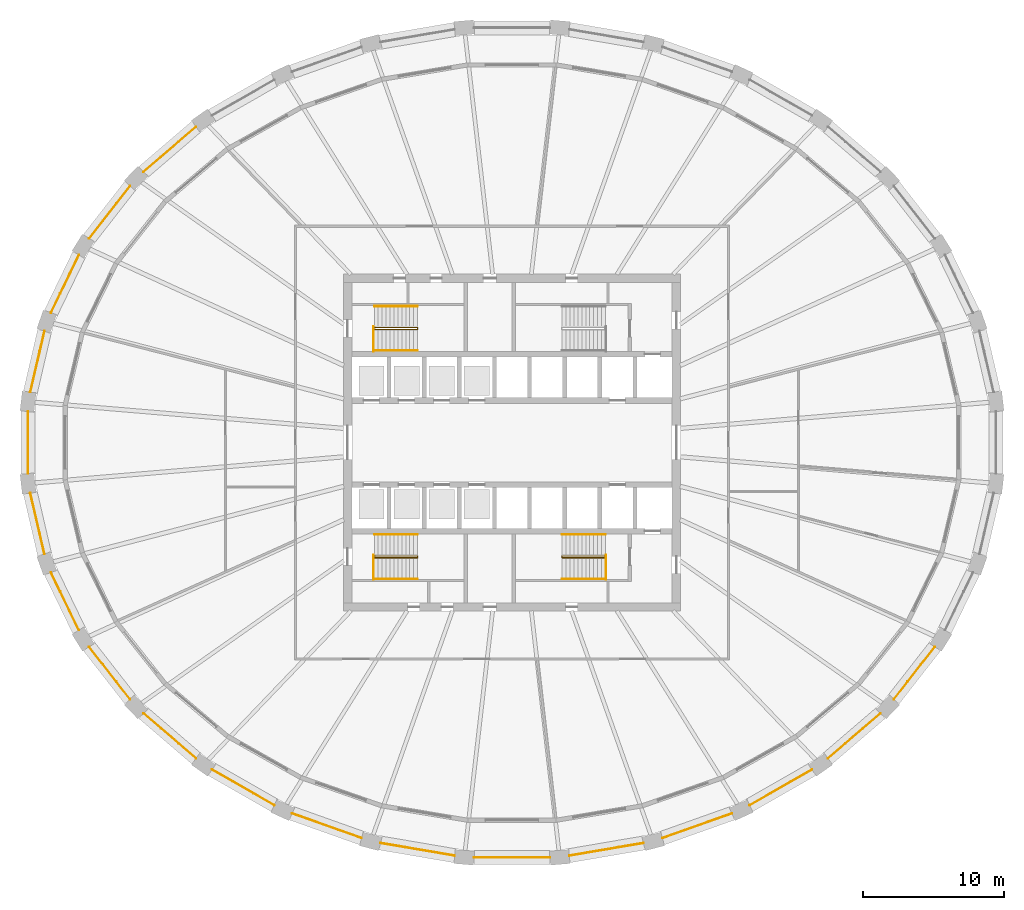
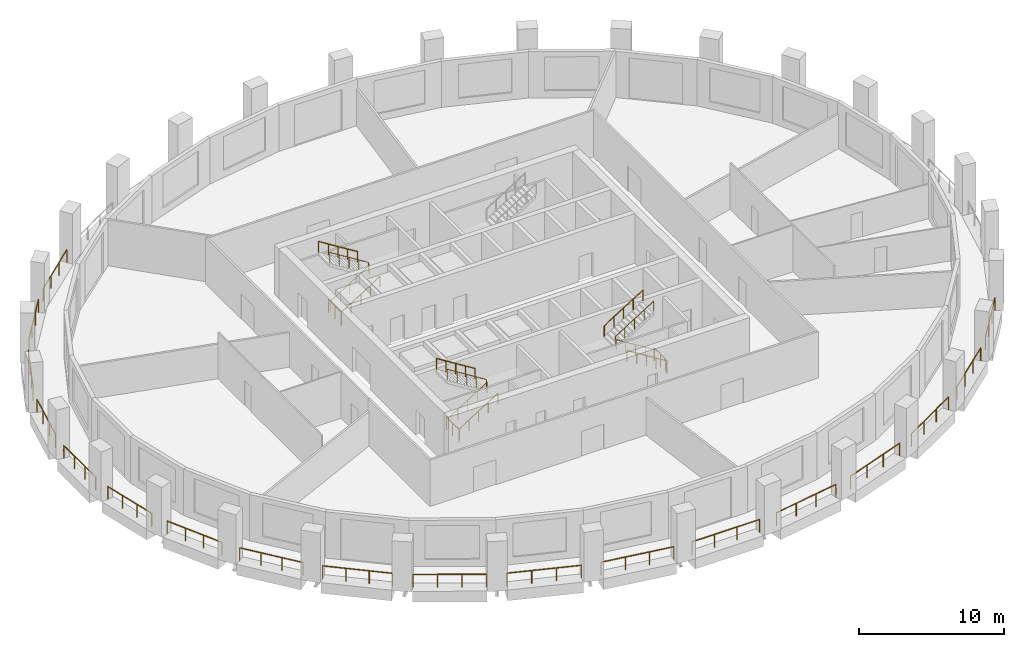
# One storey, part 8 of 10: 30 railings.
"""IFC4 building model written with IfcOpenShell, lengths in metres."""

from ifc_helpers import new_model, si_unit, direction, frame, origin, origin_2d, place, context, subcontext, project, spatial, circle, extrude, material, type_object, element, save


model = new_model("IFC4")

# Units and contexts
model_context = context("Model", 3, precision=1e-05, world=origin(), true_north=direction((0.0, 1.0)))
body_context = subcontext(model_context, "Body", "Model", "MODEL_VIEW")
ifc_project = project(units=[si_unit("LENGTHUNIT", "METRE"), si_unit("AREAUNIT", "SQUARE_METRE"), si_unit("VOLUMEUNIT", "CUBIC_METRE"), si_unit("PLANEANGLEUNIT", "RADIAN"), si_unit("MASSUNIT", "GRAM", prefix="KILO")], contexts=[model_context])

# Site, building, storey
site_placement = place(None, origin())
site = spatial("IfcSite", under=ifc_project, at=site_placement, CompositionType="ELEMENT")
building_placement = place(site_placement, origin())
building = spatial("IfcBuilding", under=site, at=building_placement, Name="Halqa Exchange Tower", CompositionType="ELEMENT")
storey_placement = place(building_placement, frame((0.0, 0.0, 133.89990234375)))
storey = spatial("IfcBuildingStorey", under=building, at=storey_placement, Name="L30", CompositionType="ELEMENT", Elevation=133.89990234375)

# Railings
ifc_material = material(Name="Stainless steel", Category="steel")
railing_type_1 = type_object("IfcRailingType", Name="Guard 1100 stainless steel", PredefinedType="GUARDRAIL", material=ifc_material)
railing_1_placement = place(storey_placement, frame((-22.48486328125, 22.47314453125, 0.0)))
element("IfcRailing", 1, at=railing_1_placement, inside=storey, type_object=railing_type_1, Name="Loggia guard 12", PredefinedType="GUARDRAIL", context=body_context, shape_type="SweptSolid", body=[
    extrude(circle(Radius=0.02392578125, at=origin_2d()), frame((0.0, 0.0, 1.076171875), z_axis=(-0.759260106659, -0.650787285091, 0.0), x_axis=(0.650787285091, -0.759260106659, 0.0)), (0.0, 0.0, 1.0), 4.917724609375),
    extrude(circle(Radius=0.02099609375, at=origin_2d()), origin(), (0.0, 0.0, 1.0), 1.052001953125),
    extrude(circle(Radius=0.02099609375, at=origin_2d()), frame((-1.24462890625, -1.06689453125, 0.0)), (0.0, 0.0, 1.0), 1.052001953125),
    extrude(circle(Radius=0.02099609375, at=origin_2d()), frame((-2.4892578125, -2.133544921875, 0.0)), (0.0, 0.0, 1.0), 1.052001953125),
    extrude(circle(Radius=0.02099609375, at=origin_2d()), frame((-3.73388671875, -3.200439453125, 0.0)), (0.0, 0.0, 1.0), 1.052001953125),
])
railing_2_placement = place(storey_placement, frame((-27.1806640625, 18.26513671875, 0.0)))
element("IfcRailing", 2, at=railing_2_placement, inside=storey, type_object=railing_type_1, Name="Loggia guard 13", PredefinedType="GUARDRAIL", context=body_context, shape_type="SweptSolid", body=[
    extrude(circle(Radius=0.02392578125, at=origin_2d()), frame((0.0, 0.0, 1.076171875), z_axis=(-0.614769268327, -0.788707009428, 0.0), x_axis=(0.788707009428, -0.614769268327, 0.0)), (0.0, 0.0, 1.0), 4.730224609375),
    extrude(circle(Radius=0.02099609375, at=origin_2d()), origin(), (0.0, 0.0, 1.0), 1.052001953125),
    extrude(circle(Radius=0.02099609375, at=origin_2d()), frame((-0.96923828125, -1.24365234375, 0.0)), (0.0, 0.0, 1.0), 1.052001953125),
    extrude(circle(Radius=0.02099609375, at=origin_2d()), frame((-1.938720703125, -2.487060546875, 0.0)), (0.0, 0.0, 1.0), 1.052001953125),
    extrude(circle(Radius=0.02099609375, at=origin_2d()), frame((-2.907958984375, -3.730712890625, 0.0)), (0.0, 0.0, 1.0), 1.052001953125),
])
railing_3_placement = place(storey_placement, frame((-30.82373046875, 13.35205078125, 0.0)))
element("IfcRailing", 3, at=railing_3_placement, inside=storey, type_object=railing_type_1, Name="Loggia guard 14", PredefinedType="GUARDRAIL", context=body_context, shape_type="SweptSolid", body=[
    extrude(circle(Radius=0.02392578125, at=origin_2d()), frame((0.0, 0.0, 1.076171875), z_axis=(-0.435089925601, -0.900387003816, 0.0), x_axis=(0.900387003816, -0.435089925601, 0.0)), (0.0, 0.0, 1.0), 4.56640625),
    extrude(circle(Radius=0.02099609375, at=origin_2d()), origin(), (0.0, 0.0, 1.0), 1.052001953125),
    extrude(circle(Radius=0.02099609375, at=origin_2d()), frame((-0.662353515625, -1.37060546875, 0.0)), (0.0, 0.0, 1.0), 1.052001953125),
    extrude(circle(Radius=0.02099609375, at=origin_2d()), frame((-1.324462890625, -2.740966796875, 0.0)), (0.0, 0.0, 1.0), 1.052001953125),
    extrude(circle(Radius=0.02099609375, at=origin_2d()), frame((-1.98681640625, -4.111572265625, 0.0)), (0.0, 0.0, 1.0), 1.052001953125),
])
railing_4_placement = place(storey_placement, frame((-33.2734375, 7.928466796875, 0.0)))
element("IfcRailing", 4, at=railing_4_placement, inside=storey, type_object=railing_type_1, Name="Loggia guard 15", PredefinedType="GUARDRAIL", context=body_context, shape_type="SweptSolid", body=[
    extrude(circle(Radius=0.02392578125, at=origin_2d()), frame((0.0, 0.0, 1.076171875), z_axis=(-0.226084201975, -0.974107762836, 0.0), x_axis=(0.974107762836, -0.226084201975, 0.0)), (0.0, 0.0, 1.0), 4.454345703125),
    extrude(circle(Radius=0.02099609375, at=origin_2d()), origin(), (0.0, 0.0, 1.0), 1.052001953125),
    extrude(circle(Radius=0.02099609375, at=origin_2d()), frame((-0.335693359375, -1.4462890625, 0.0)), (0.0, 0.0, 1.0), 1.052001953125),
    extrude(circle(Radius=0.02099609375, at=origin_2d()), frame((-0.67138671875, -2.892822265625, 0.0)), (0.0, 0.0, 1.0), 1.052001953125),
    extrude(circle(Radius=0.02099609375, at=origin_2d()), frame((-1.007080078125, -4.339111328125, 0.0)), (0.0, 0.0, 1.0), 1.052001953125),
])
railing_5_placement = place(storey_placement, frame((-34.438720703125, 2.20751953125, 0.0)))
element("IfcRailing", 5, at=railing_5_placement, inside=storey, type_object=railing_type_1, Name="Loggia guard 16", PredefinedType="GUARDRAIL", context=body_context, shape_type="SweptSolid", body=[
    extrude(circle(Radius=0.02392578125, at=origin_2d()), frame((0.0, 0.0, 1.076171875), z_axis=(0.0, -1.0, 0.0), x_axis=(1.0, 0.0, 0.0)), (0.0, 0.0, 1.0), 4.4150390625),
    extrude(circle(Radius=0.02099609375, at=origin_2d()), origin(), (0.0, 0.0, 1.0), 1.052001953125),
    extrude(circle(Radius=0.02099609375, at=origin_2d()), frame((0.0, -1.4716796875, 0.0)), (0.0, 0.0, 1.0), 1.052001953125),
    extrude(circle(Radius=0.02099609375, at=origin_2d()), frame((0.0, -2.943359375, 0.0)), (0.0, 0.0, 1.0), 1.052001953125),
    extrude(circle(Radius=0.02099609375, at=origin_2d()), frame((0.0, -4.4150390625, 0.0)), (0.0, 0.0, 1.0), 1.052001953125),
])
railing_6_placement = place(storey_placement, frame((-34.280517578125, -3.58935546875, 0.0)))
element("IfcRailing", 6, at=railing_6_placement, inside=storey, type_object=railing_type_1, Name="Loggia guard 17", PredefinedType="GUARDRAIL", context=body_context, shape_type="SweptSolid", body=[
    extrude(circle(Radius=0.02392578125, at=origin_2d()), frame((0.0, 0.0, 1.076171875), z_axis=(0.226084201975, -0.974107762836, 0.0), x_axis=(0.974107762836, 0.226084201975, 0.0)), (0.0, 0.0, 1.0), 4.454345703125),
    extrude(circle(Radius=0.02099609375, at=origin_2d()), origin(), (0.0, 0.0, 1.0), 1.052001953125),
    extrude(circle(Radius=0.02099609375, at=origin_2d()), frame((0.335693359375, -1.4462890625, 0.0)), (0.0, 0.0, 1.0), 1.052001953125),
    extrude(circle(Radius=0.02099609375, at=origin_2d()), frame((0.67138671875, -2.892822265625, 0.0)), (0.0, 0.0, 1.0), 1.052001953125),
    extrude(circle(Radius=0.02099609375, at=origin_2d()), frame((1.007080078125, -4.339111328125, 0.0)), (0.0, 0.0, 1.0), 1.052001953125),
])
railing_7_placement = place(storey_placement, frame((-32.810546875, -9.240478515625, 0.0)))
element("IfcRailing", 7, at=railing_7_placement, inside=storey, type_object=railing_type_1, Name="Loggia guard 18", PredefinedType="GUARDRAIL", context=body_context, shape_type="SweptSolid", body=[
    extrude(circle(Radius=0.02392578125, at=origin_2d()), frame((0.0, 0.0, 1.076171875), z_axis=(0.435089925601, -0.900387003816, 0.0), x_axis=(0.900387003816, 0.435089925601, 0.0)), (0.0, 0.0, 1.0), 4.56640625),
    extrude(circle(Radius=0.02099609375, at=origin_2d()), origin(), (0.0, 0.0, 1.0), 1.052001953125),
    extrude(circle(Radius=0.02099609375, at=origin_2d()), frame((0.662353515625, -1.37060546875, 0.0)), (0.0, 0.0, 1.0), 1.052001953125),
    extrude(circle(Radius=0.02099609375, at=origin_2d()), frame((1.324462890625, -2.740966796875, 0.0)), (0.0, 0.0, 1.0), 1.052001953125),
    extrude(circle(Radius=0.02099609375, at=origin_2d()), frame((1.98681640625, -4.111572265625, 0.0)), (0.0, 0.0, 1.0), 1.052001953125),
])
railing_8_placement = place(storey_placement, frame((-30.088623046875, -14.534423828125, 0.0)))
element("IfcRailing", 8, at=railing_8_placement, inside=storey, type_object=railing_type_1, Name="Loggia guard 19", PredefinedType="GUARDRAIL", context=body_context, shape_type="SweptSolid", body=[
    extrude(circle(Radius=0.02392578125, at=origin_2d()), frame((0.0, 0.0, 1.076171875), z_axis=(0.614769268327, -0.788707009428, 0.0), x_axis=(0.788707009428, 0.614769268327, 0.0)), (0.0, 0.0, 1.0), 4.730224609375),
    extrude(circle(Radius=0.02099609375, at=origin_2d()), origin(), (0.0, 0.0, 1.0), 1.052001953125),
    extrude(circle(Radius=0.02099609375, at=origin_2d()), frame((0.96923828125, -1.24365234375, 0.0)), (0.0, 0.0, 1.0), 1.052001953125),
    extrude(circle(Radius=0.02099609375, at=origin_2d()), frame((1.938720703125, -2.487060546875, 0.0)), (0.0, 0.0, 1.0), 1.052001953125),
    extrude(circle(Radius=0.02099609375, at=origin_2d()), frame((2.907958984375, -3.730712890625, 0.0)), (0.0, 0.0, 1.0), 1.052001953125),
])
railing_9_placement = place(storey_placement, frame((-26.21875, -19.272705078125, 0.0)))
element("IfcRailing", 9, at=railing_9_placement, inside=storey, type_object=railing_type_1, Name="Loggia guard 20", PredefinedType="GUARDRAIL", context=body_context, shape_type="SweptSolid", body=[
    extrude(circle(Radius=0.02392578125, at=origin_2d()), frame((0.0, 0.0, 1.076171875), z_axis=(0.759260106659, -0.650787285091, 0.0), x_axis=(0.650787285091, 0.759260106659, 0.0)), (0.0, 0.0, 1.0), 4.917724609375),
    extrude(circle(Radius=0.02099609375, at=origin_2d()), origin(), (0.0, 0.0, 1.0), 1.052001953125),
    extrude(circle(Radius=0.02099609375, at=origin_2d()), frame((1.24462890625, -1.06689453125, 0.0)), (0.0, 0.0, 1.0), 1.052001953125),
    extrude(circle(Radius=0.02099609375, at=origin_2d()), frame((2.4892578125, -2.133544921875, 0.0)), (0.0, 0.0, 1.0), 1.052001953125),
    extrude(circle(Radius=0.02099609375, at=origin_2d()), frame((3.73388671875, -3.200439453125, 0.0)), (0.0, 0.0, 1.0), 1.052001953125),
])
railing_10_placement = place(storey_placement, frame((-21.345947265625, -23.276611328125, 0.0)))
element("IfcRailing", 10, at=railing_10_placement, inside=storey, type_object=railing_type_1, Name="Loggia guard 21", PredefinedType="GUARDRAIL", context=body_context, shape_type="SweptSolid", body=[
    extrude(circle(Radius=0.02392578125, at=origin_2d()), frame((0.0, 0.0, 1.076171875), z_axis=(0.867765525419, -0.496973835222, 0.0), x_axis=(0.496973835222, 0.867765525419, 0.0)), (0.0, 0.0, 1.0), 5.10009765625),
    extrude(circle(Radius=0.02099609375, at=origin_2d()), origin(), (0.0, 0.0, 1.0), 1.052001953125),
    extrude(circle(Radius=0.02099609375, at=origin_2d()), frame((1.475341796875, -0.844970703125, 0.0)), (0.0, 0.0, 1.0), 1.052001953125),
    extrude(circle(Radius=0.02099609375, at=origin_2d()), frame((2.950439453125, -1.689697265625, 0.0)), (0.0, 0.0, 1.0), 1.052001953125),
    extrude(circle(Radius=0.02099609375, at=origin_2d()), frame((4.42578125, -2.53466796875, 0.0)), (0.0, 0.0, 1.0), 1.052001953125),
])
railing_11_placement = place(storey_placement, frame((-15.653076171875, -26.3935546875, 0.0)))
element("IfcRailing", 11, at=railing_11_placement, inside=storey, type_object=railing_type_1, Name="Loggia guard 22", PredefinedType="GUARDRAIL", context=body_context, shape_type="SweptSolid", body=[
    extrude(circle(Radius=0.02392578125, at=origin_2d()), frame((0.0, 0.0, 1.076171875), z_axis=(0.942362020759, -0.334595011664, 0.0), x_axis=(0.334595011664, 0.942362020759, 0.0)), (0.0, 0.0, 1.0), 5.250732421875),
    extrude(circle(Radius=0.02099609375, at=origin_2d()), origin(), (0.0, 0.0, 1.0), 1.052001953125),
    extrude(circle(Radius=0.02099609375, at=origin_2d()), frame((1.6494140625, -0.585693359375, 0.0)), (0.0, 0.0, 1.0), 1.052001953125),
    extrude(circle(Radius=0.02099609375, at=origin_2d()), frame((3.298583984375, -1.171142578125, 0.0)), (0.0, 0.0, 1.0), 1.052001953125),
    extrude(circle(Radius=0.02099609375, at=origin_2d()), frame((4.947998046875, -1.7568359375, 0.0)), (0.0, 0.0, 1.0), 1.052001953125),
])
railing_12_placement = place(storey_placement, frame((-9.35546875, -28.502197265625, 0.0)))
element("IfcRailing", 12, at=railing_12_placement, inside=storey, type_object=railing_type_1, Name="Loggia guard 23", PredefinedType="GUARDRAIL", context=body_context, shape_type="SweptSolid", body=[
    extrude(circle(Radius=0.02392578125, at=origin_2d()), frame((0.0, 0.0, 1.076171875), z_axis=(0.985774069953, -0.168075825176, 0.0), x_axis=(0.168075825176, 0.985774069953, 0.0)), (0.0, 0.0, 1.0), 5.349853515625),
    extrude(circle(Radius=0.02099609375, at=origin_2d()), origin(), (0.0, 0.0, 1.0), 1.052001953125),
    extrude(circle(Radius=0.02099609375, at=origin_2d()), frame((1.7578125, -0.2998046875, 0.0)), (0.0, 0.0, 1.0), 1.052001953125),
    extrude(circle(Radius=0.02099609375, at=origin_2d()), frame((3.515869140625, -0.599365234375, 0.0)), (0.0, 0.0, 1.0), 1.052001953125),
    extrude(circle(Radius=0.02099609375, at=origin_2d()), frame((5.273681640625, -0.899169921875, 0.0)), (0.0, 0.0, 1.0), 1.052001953125),
])
railing_13_placement = place(storey_placement, frame((-2.69189453125, -29.518798828125, 0.0)))
element("IfcRailing", 13, at=railing_13_placement, inside=storey, type_object=railing_type_1, Name="Loggia guard 24", PredefinedType="GUARDRAIL", context=body_context, shape_type="SweptSolid", body=[
    extrude(circle(Radius=0.02392578125, at=origin_2d()), frame((0.0, 0.0, 1.076171875), z_axis=(1.0, 0.0, 0.0), x_axis=(0.0, 1.0, 0.0)), (0.0, 0.0, 1.0), 5.3837890625),
    extrude(circle(Radius=0.02099609375, at=origin_2d()), origin(), (0.0, 0.0, 1.0), 1.052001953125),
    extrude(circle(Radius=0.02099609375, at=origin_2d()), frame((1.794677734375, 0.0, 0.0)), (0.0, 0.0, 1.0), 1.052001953125),
    extrude(circle(Radius=0.02099609375, at=origin_2d()), frame((3.589111328125, 0.0, 0.0)), (0.0, 0.0, 1.0), 1.052001953125),
    extrude(circle(Radius=0.02099609375, at=origin_2d()), frame((5.3837890625, 0.0, 0.0)), (0.0, 0.0, 1.0), 1.052001953125),
])
railing_14_placement = place(storey_placement, frame((4.081787109375, -29.4013671875, 0.0)))
element("IfcRailing", 14, at=railing_14_placement, inside=storey, type_object=railing_type_1, Name="Loggia guard 25", PredefinedType="GUARDRAIL", context=body_context, shape_type="SweptSolid", body=[
    extrude(circle(Radius=0.02392578125, at=origin_2d()), frame((0.0, 0.0, 1.076171875), z_axis=(0.985774069953, 0.168075825176, 0.0), x_axis=(-0.168075825176, 0.985774069953, 0.0)), (0.0, 0.0, 1.0), 5.349853515625),
    extrude(circle(Radius=0.02099609375, at=origin_2d()), origin(), (0.0, 0.0, 1.0), 1.052001953125),
    extrude(circle(Radius=0.02099609375, at=origin_2d()), frame((1.7578125, 0.2998046875, 0.0)), (0.0, 0.0, 1.0), 1.052001953125),
    extrude(circle(Radius=0.02099609375, at=origin_2d()), frame((3.515869140625, 0.599365234375, 0.0)), (0.0, 0.0, 1.0), 1.052001953125),
    extrude(circle(Radius=0.02099609375, at=origin_2d()), frame((5.273681640625, 0.899169921875, 0.0)), (0.0, 0.0, 1.0), 1.052001953125),
])
railing_15_placement = place(storey_placement, frame((10.705078125, -28.150390625, 0.0)))
element("IfcRailing", 15, at=railing_15_placement, inside=storey, type_object=railing_type_1, Name="Loggia guard 26", PredefinedType="GUARDRAIL", context=body_context, shape_type="SweptSolid", body=[
    extrude(circle(Radius=0.02392578125, at=origin_2d()), frame((0.0, 0.0, 1.076171875), z_axis=(0.942362020759, 0.334595011664, 0.0), x_axis=(-0.334595011664, 0.942362020759, 0.0)), (0.0, 0.0, 1.0), 5.250732421875),
    extrude(circle(Radius=0.02099609375, at=origin_2d()), origin(), (0.0, 0.0, 1.0), 1.052001953125),
    extrude(circle(Radius=0.02099609375, at=origin_2d()), frame((1.6494140625, 0.585693359375, 0.0)), (0.0, 0.0, 1.0), 1.052001953125),
    extrude(circle(Radius=0.02099609375, at=origin_2d()), frame((3.298583984375, 1.171142578125, 0.0)), (0.0, 0.0, 1.0), 1.052001953125),
    extrude(circle(Radius=0.02099609375, at=origin_2d()), frame((4.947998046875, 1.7568359375, 0.0)), (0.0, 0.0, 1.0), 1.052001953125),
])
railing_16_placement = place(storey_placement, frame((16.920166015625, -25.811279296875, 0.0)))
element("IfcRailing", 16, at=railing_16_placement, inside=storey, type_object=railing_type_1, Name="Loggia guard 27", PredefinedType="GUARDRAIL", context=body_context, shape_type="SweptSolid", body=[
    extrude(circle(Radius=0.02392578125, at=origin_2d()), frame((0.0, 0.0, 1.076171875), z_axis=(0.867765525419, 0.496973835222, 0.0), x_axis=(-0.496973835222, 0.867765525419, 0.0)), (0.0, 0.0, 1.0), 5.10009765625),
    extrude(circle(Radius=0.02099609375, at=origin_2d()), origin(), (0.0, 0.0, 1.0), 1.052001953125),
    extrude(circle(Radius=0.02099609375, at=origin_2d()), frame((1.475341796875, 0.844970703125, 0.0)), (0.0, 0.0, 1.0), 1.052001953125),
    extrude(circle(Radius=0.02099609375, at=origin_2d()), frame((2.950439453125, 1.689697265625, 0.0)), (0.0, 0.0, 1.0), 1.052001953125),
    extrude(circle(Radius=0.02099609375, at=origin_2d()), frame((4.42578125, 2.53466796875, 0.0)), (0.0, 0.0, 1.0), 1.052001953125),
])
railing_17_placement = place(storey_placement, frame((22.48486328125, -22.47314453125, 0.0)))
element("IfcRailing", 17, at=railing_17_placement, inside=storey, type_object=railing_type_1, Name="Loggia guard 28", PredefinedType="GUARDRAIL", context=body_context, shape_type="SweptSolid", body=[
    extrude(circle(Radius=0.02392578125, at=origin_2d()), frame((0.0, 0.0, 1.076171875), z_axis=(0.759260106659, 0.650787285091, 0.0), x_axis=(-0.650787285091, 0.759260106659, 0.0)), (0.0, 0.0, 1.0), 4.917724609375),
    extrude(circle(Radius=0.02099609375, at=origin_2d()), origin(), (0.0, 0.0, 1.0), 1.052001953125),
    extrude(circle(Radius=0.02099609375, at=origin_2d()), frame((1.24462890625, 1.06689453125, 0.0)), (0.0, 0.0, 1.0), 1.052001953125),
    extrude(circle(Radius=0.02099609375, at=origin_2d()), frame((2.4892578125, 2.133544921875, 0.0)), (0.0, 0.0, 1.0), 1.052001953125),
    extrude(circle(Radius=0.02099609375, at=origin_2d()), frame((3.73388671875, 3.200439453125, 0.0)), (0.0, 0.0, 1.0), 1.052001953125),
])
railing_18_placement = place(storey_placement, frame((27.1806640625, -18.26513671875, 0.0)))
element("IfcRailing", 18, at=railing_18_placement, inside=storey, type_object=railing_type_1, Name="Loggia guard 29", PredefinedType="GUARDRAIL", context=body_context, shape_type="SweptSolid", body=[
    extrude(circle(Radius=0.02392578125, at=origin_2d()), frame((0.0, 0.0, 1.076171875), z_axis=(0.614769268327, 0.788707009428, 0.0), x_axis=(-0.788707009428, 0.614769268327, 0.0)), (0.0, 0.0, 1.0), 4.730224609375),
    extrude(circle(Radius=0.02099609375, at=origin_2d()), origin(), (0.0, 0.0, 1.0), 1.052001953125),
    extrude(circle(Radius=0.02099609375, at=origin_2d()), frame((0.96923828125, 1.24365234375, 0.0)), (0.0, 0.0, 1.0), 1.052001953125),
    extrude(circle(Radius=0.02099609375, at=origin_2d()), frame((1.938720703125, 2.487060546875, 0.0)), (0.0, 0.0, 1.0), 1.052001953125),
    extrude(circle(Radius=0.02099609375, at=origin_2d()), frame((2.907958984375, 3.730712890625, 0.0)), (0.0, 0.0, 1.0), 1.052001953125),
])
railing_type_2 = type_object("IfcRailingType", Name="Stair handrail 900", PredefinedType="HANDRAIL", material=ifc_material)
railing_19_placement = place(storey_placement, frame((-9.800048828125, 8.06005859375, 0.175048828125)))
element("IfcRailing", 19, at=railing_19_placement, inside=storey, type_object=railing_type_2, Name="Handrail ST1.1", PredefinedType="HANDRAIL", context=body_context, shape_type="SweptSolid", body=[
    extrude(circle(Radius=0.02392578125, at=origin_2d()), frame((0.0, 0.0, 0.8759765625), z_axis=(0.847998304005, 0.0, 0.529998940003), x_axis=(0.0, 1.0, 0.0)), (0.0, 0.0, 1.0), 3.632080078125),
    extrude(circle(Radius=0.02392578125, at=origin_2d()), frame((3.080078125, 0.0, 2.80078125), z_axis=(0.0, 0.595870227118, 0.803080738428), x_axis=(-1.0, 0.0, 0.0)), (0.0, 0.0, 1.0), 0.218017578125),
    extrude(circle(Radius=0.02392578125, at=origin_2d()), frame((3.080078125, 0.1298828125, 2.97607421875), z_axis=(-0.847998304005, 0.0, 0.529998940003), x_axis=(0.0, -1.0, 0.0)), (0.0, 0.0, 1.0), 3.632080078125),
    extrude(circle(Radius=0.02099609375, at=origin_2d()), origin(), (0.0, 0.0, 1.0), 0.851806640625),
    extrude(circle(Radius=0.02099609375, at=origin_2d()), frame((0.77001953125, 0.0, 0.481201171875)), (0.0, 0.0, 1.0), 0.851806640625),
    extrude(circle(Radius=0.02099609375, at=origin_2d()), frame((1.5400390625, 0.0, 0.96240234375)), (0.0, 0.0, 1.0), 0.851806640625),
    extrude(circle(Radius=0.02099609375, at=origin_2d()), frame((2.31005859375, 0.0, 1.44384765625)), (0.0, 0.0, 1.0), 0.851806640625),
    extrude(circle(Radius=0.02099609375, at=origin_2d()), frame((3.080078125, 0.0, 1.925048828125)), (0.0, 0.0, 1.0), 0.851806640625),
    extrude(circle(Radius=0.02099609375, at=origin_2d()), frame((3.080078125, 0.1298828125, 2.10009765625)), (0.0, 0.0, 1.0), 0.851806640625),
    extrude(circle(Radius=0.02099609375, at=origin_2d()), frame((2.31005859375, 0.1298828125, 2.581298828125)), (0.0, 0.0, 1.0), 0.851806640625),
    extrude(circle(Radius=0.02099609375, at=origin_2d()), frame((1.5400390625, 0.1298828125, 3.0625)), (0.0, 0.0, 1.0), 0.851806640625),
    extrude(circle(Radius=0.02099609375, at=origin_2d()), frame((0.77001953125, 0.1298828125, 3.5439453125)), (0.0, 0.0, 1.0), 0.851806640625),
    extrude(circle(Radius=0.02099609375, at=origin_2d()), frame((0.0, 0.1298828125, 4.025146484375)), (0.0, 0.0, 1.0), 0.851806640625),
])
railing_20_placement = place(storey_placement, frame((-9.800048828125, 6.550048828125, 0.175048828125)))
element("IfcRailing", 20, at=railing_20_placement, inside=storey, type_object=railing_type_2, Name="Handrail ST1.2", PredefinedType="HANDRAIL", context=body_context, shape_type="SweptSolid", body=[
    extrude(circle(Radius=0.02392578125, at=origin_2d()), frame((0.0, 0.0, 0.8759765625), z_axis=(0.847998304005, 0.0, 0.529998940003), x_axis=(0.0, 1.0, 0.0)), (0.0, 0.0, 1.0), 3.632080078125),
    extrude(circle(Radius=0.02099609375, at=origin_2d()), origin(), (0.0, 0.0, 1.0), 0.851806640625),
    extrude(circle(Radius=0.02099609375, at=origin_2d()), frame((0.77001953125, 0.0, 0.481201171875)), (0.0, 0.0, 1.0), 0.851806640625),
    extrude(circle(Radius=0.02099609375, at=origin_2d()), frame((1.5400390625, 0.0, 0.96240234375)), (0.0, 0.0, 1.0), 0.851806640625),
    extrude(circle(Radius=0.02099609375, at=origin_2d()), frame((2.31005859375, 0.0, 1.44384765625)), (0.0, 0.0, 1.0), 0.851806640625),
    extrude(circle(Radius=0.02099609375, at=origin_2d()), frame((3.080078125, 0.0, 1.925048828125)), (0.0, 0.0, 1.0), 0.851806640625),
])
railing_21_placement = place(storey_placement, frame((-6.719970703125, 9.699951171875, 2.275146484375)))
element("IfcRailing", 21, at=railing_21_placement, inside=storey, type_object=railing_type_2, Name="Handrail ST1.3", PredefinedType="HANDRAIL", context=body_context, shape_type="SweptSolid", body=[
    extrude(circle(Radius=0.02392578125, at=origin_2d()), frame((0.0, 0.0, 0.8759765625), z_axis=(-0.847998304005, 0.0, 0.529998940003), x_axis=(0.0, -1.0, 0.0)), (0.0, 0.0, 1.0), 3.632080078125),
    extrude(circle(Radius=0.02099609375, at=origin_2d()), origin(), (0.0, 0.0, 1.0), 0.851806640625),
    extrude(circle(Radius=0.02099609375, at=origin_2d()), frame((-0.77001953125, 0.0, 0.481201171875)), (0.0, 0.0, 1.0), 0.851806640625),
    extrude(circle(Radius=0.02099609375, at=origin_2d()), frame((-1.5400390625, 0.0, 0.96240234375)), (0.0, 0.0, 1.0), 0.851806640625),
    extrude(circle(Radius=0.02099609375, at=origin_2d()), frame((-2.31005859375, 0.0, 1.44384765625)), (0.0, 0.0, 1.0), 0.851806640625),
    extrude(circle(Radius=0.02099609375, at=origin_2d()), frame((-3.080078125, 0.0, 1.925048828125)), (0.0, 0.0, 1.0), 0.851806640625),
])
railing_22_placement = place(storey_placement, frame((-9.800048828125, -8.18994140625, 0.175048828125)))
element("IfcRailing", 22, at=railing_22_placement, inside=storey, type_object=railing_type_2, Name="Handrail ST3.1", PredefinedType="HANDRAIL", context=body_context, shape_type="SweptSolid", body=[
    extrude(circle(Radius=0.02392578125, at=origin_2d()), frame((0.0, 0.0, 0.8759765625), z_axis=(0.847998304005, 0.0, 0.529998940003), x_axis=(0.0, 1.0, 0.0)), (0.0, 0.0, 1.0), 3.632080078125),
    extrude(circle(Radius=0.02392578125, at=origin_2d()), frame((3.080078125, 0.0, 2.80078125), z_axis=(0.0, 0.595870227118, 0.803080738428), x_axis=(-1.0, 0.0, 0.0)), (0.0, 0.0, 1.0), 0.218017578125),
    extrude(circle(Radius=0.02392578125, at=origin_2d()), frame((3.080078125, 0.1298828125, 2.97607421875), z_axis=(-0.847998304005, 0.0, 0.529998940003), x_axis=(0.0, -1.0, 0.0)), (0.0, 0.0, 1.0), 3.632080078125),
    extrude(circle(Radius=0.02099609375, at=origin_2d()), origin(), (0.0, 0.0, 1.0), 0.851806640625),
    extrude(circle(Radius=0.02099609375, at=origin_2d()), frame((0.77001953125, 0.0, 0.481201171875)), (0.0, 0.0, 1.0), 0.851806640625),
    extrude(circle(Radius=0.02099609375, at=origin_2d()), frame((1.5400390625, 0.0, 0.96240234375)), (0.0, 0.0, 1.0), 0.851806640625),
    extrude(circle(Radius=0.02099609375, at=origin_2d()), frame((2.31005859375, 0.0, 1.44384765625)), (0.0, 0.0, 1.0), 0.851806640625),
    extrude(circle(Radius=0.02099609375, at=origin_2d()), frame((3.080078125, 0.0, 1.925048828125)), (0.0, 0.0, 1.0), 0.851806640625),
    extrude(circle(Radius=0.02099609375, at=origin_2d()), frame((3.080078125, 0.1298828125, 2.10009765625)), (0.0, 0.0, 1.0), 0.851806640625),
    extrude(circle(Radius=0.02099609375, at=origin_2d()), frame((2.31005859375, 0.1298828125, 2.581298828125)), (0.0, 0.0, 1.0), 0.851806640625),
    extrude(circle(Radius=0.02099609375, at=origin_2d()), frame((1.5400390625, 0.1298828125, 3.0625)), (0.0, 0.0, 1.0), 0.851806640625),
    extrude(circle(Radius=0.02099609375, at=origin_2d()), frame((0.77001953125, 0.1298828125, 3.5439453125)), (0.0, 0.0, 1.0), 0.851806640625),
    extrude(circle(Radius=0.02099609375, at=origin_2d()), frame((0.0, 0.1298828125, 4.025146484375)), (0.0, 0.0, 1.0), 0.851806640625),
])
railing_23_placement = place(storey_placement, frame((-9.800048828125, -9.699951171875, 0.175048828125)))
element("IfcRailing", 23, at=railing_23_placement, inside=storey, type_object=railing_type_2, Name="Handrail ST3.2", PredefinedType="HANDRAIL", context=body_context, shape_type="SweptSolid", body=[
    extrude(circle(Radius=0.02392578125, at=origin_2d()), frame((0.0, 0.0, 0.8759765625), z_axis=(0.847998304005, 0.0, 0.529998940003), x_axis=(0.0, 1.0, 0.0)), (0.0, 0.0, 1.0), 3.632080078125),
    extrude(circle(Radius=0.02099609375, at=origin_2d()), origin(), (0.0, 0.0, 1.0), 0.851806640625),
    extrude(circle(Radius=0.02099609375, at=origin_2d()), frame((0.77001953125, 0.0, 0.481201171875)), (0.0, 0.0, 1.0), 0.851806640625),
    extrude(circle(Radius=0.02099609375, at=origin_2d()), frame((1.5400390625, 0.0, 0.96240234375)), (0.0, 0.0, 1.0), 0.851806640625),
    extrude(circle(Radius=0.02099609375, at=origin_2d()), frame((2.31005859375, 0.0, 1.44384765625)), (0.0, 0.0, 1.0), 0.851806640625),
    extrude(circle(Radius=0.02099609375, at=origin_2d()), frame((3.080078125, 0.0, 1.925048828125)), (0.0, 0.0, 1.0), 0.851806640625),
])
railing_24_placement = place(storey_placement, frame((-6.719970703125, -6.550048828125, 2.275146484375)))
element("IfcRailing", 24, at=railing_24_placement, inside=storey, type_object=railing_type_2, Name="Handrail ST3.3", PredefinedType="HANDRAIL", context=body_context, shape_type="SweptSolid", body=[
    extrude(circle(Radius=0.02392578125, at=origin_2d()), frame((0.0, 0.0, 0.8759765625), z_axis=(-0.847998304005, 0.0, 0.529998940003), x_axis=(0.0, -1.0, 0.0)), (0.0, 0.0, 1.0), 3.632080078125),
    extrude(circle(Radius=0.02099609375, at=origin_2d()), origin(), (0.0, 0.0, 1.0), 0.851806640625),
    extrude(circle(Radius=0.02099609375, at=origin_2d()), frame((-0.77001953125, 0.0, 0.481201171875)), (0.0, 0.0, 1.0), 0.851806640625),
    extrude(circle(Radius=0.02099609375, at=origin_2d()), frame((-1.5400390625, 0.0, 0.96240234375)), (0.0, 0.0, 1.0), 0.851806640625),
    extrude(circle(Radius=0.02099609375, at=origin_2d()), frame((-2.31005859375, 0.0, 1.44384765625)), (0.0, 0.0, 1.0), 0.851806640625),
    extrude(circle(Radius=0.02099609375, at=origin_2d()), frame((-3.080078125, 0.0, 1.925048828125)), (0.0, 0.0, 1.0), 0.851806640625),
])
railing_25_placement = place(storey_placement, frame((6.64990234375, -8.18994140625, 0.175048828125)))
element("IfcRailing", 25, at=railing_25_placement, inside=storey, type_object=railing_type_2, Name="Handrail ST4.1", PredefinedType="HANDRAIL", context=body_context, shape_type="SweptSolid", body=[
    extrude(circle(Radius=0.02392578125, at=origin_2d()), frame((0.0, 0.0, 0.8759765625), z_axis=(-0.847979421464, 0.0, 0.530029150871), x_axis=(0.0, -1.0, 0.0)), (0.0, 0.0, 1.0), 3.632080078125),
    extrude(circle(Radius=0.02392578125, at=origin_2d()), frame((-3.079833984375, 0.0, 2.80078125), z_axis=(0.0, 0.595870227118, 0.803080738428), x_axis=(-1.0, 0.0, 0.0)), (0.0, 0.0, 1.0), 0.218017578125),
    extrude(circle(Radius=0.02392578125, at=origin_2d()), frame((-3.079833984375, 0.1298828125, 2.97607421875), z_axis=(0.847979421464, 0.0, 0.530029150871), x_axis=(0.0, 1.0, 0.0)), (0.0, 0.0, 1.0), 3.632080078125),
    extrude(circle(Radius=0.02099609375, at=origin_2d()), origin(), (0.0, 0.0, 1.0), 0.851806640625),
    extrude(circle(Radius=0.02099609375, at=origin_2d()), frame((-0.77001953125, 0.0, 0.481201171875)), (0.0, 0.0, 1.0), 0.851806640625),
    extrude(circle(Radius=0.02099609375, at=origin_2d()), frame((-1.5400390625, 0.0, 0.96240234375)), (0.0, 0.0, 1.0), 0.851806640625),
    extrude(circle(Radius=0.02099609375, at=origin_2d()), frame((-2.309814453125, 0.0, 1.44384765625)), (0.0, 0.0, 1.0), 0.851806640625),
    extrude(circle(Radius=0.02099609375, at=origin_2d()), frame((-3.079833984375, 0.0, 1.925048828125)), (0.0, 0.0, 1.0), 0.851806640625),
    extrude(circle(Radius=0.02099609375, at=origin_2d()), frame((-3.079833984375, 0.1298828125, 2.10009765625)), (0.0, 0.0, 1.0), 0.851806640625),
    extrude(circle(Radius=0.02099609375, at=origin_2d()), frame((-2.309814453125, 0.1298828125, 2.581298828125)), (0.0, 0.0, 1.0), 0.851806640625),
    extrude(circle(Radius=0.02099609375, at=origin_2d()), frame((-1.5400390625, 0.1298828125, 3.0625)), (0.0, 0.0, 1.0), 0.851806640625),
    extrude(circle(Radius=0.02099609375, at=origin_2d()), frame((-0.77001953125, 0.1298828125, 3.5439453125)), (0.0, 0.0, 1.0), 0.851806640625),
    extrude(circle(Radius=0.02099609375, at=origin_2d()), frame((0.0, 0.1298828125, 4.025146484375)), (0.0, 0.0, 1.0), 0.851806640625),
])
railing_26_placement = place(storey_placement, frame((6.64990234375, -9.699951171875, 0.175048828125)))
element("IfcRailing", 26, at=railing_26_placement, inside=storey, type_object=railing_type_2, Name="Handrail ST4.2", PredefinedType="HANDRAIL", context=body_context, shape_type="SweptSolid", body=[
    extrude(circle(Radius=0.02392578125, at=origin_2d()), frame((0.0, 0.0, 0.8759765625), z_axis=(-0.847979421464, 0.0, 0.530029150871), x_axis=(0.0, -1.0, 0.0)), (0.0, 0.0, 1.0), 3.632080078125),
    extrude(circle(Radius=0.02099609375, at=origin_2d()), origin(), (0.0, 0.0, 1.0), 0.851806640625),
    extrude(circle(Radius=0.02099609375, at=origin_2d()), frame((-0.77001953125, 0.0, 0.481201171875)), (0.0, 0.0, 1.0), 0.851806640625),
    extrude(circle(Radius=0.02099609375, at=origin_2d()), frame((-1.5400390625, 0.0, 0.96240234375)), (0.0, 0.0, 1.0), 0.851806640625),
    extrude(circle(Radius=0.02099609375, at=origin_2d()), frame((-2.309814453125, 0.0, 1.44384765625)), (0.0, 0.0, 1.0), 0.851806640625),
    extrude(circle(Radius=0.02099609375, at=origin_2d()), frame((-3.079833984375, 0.0, 1.925048828125)), (0.0, 0.0, 1.0), 0.851806640625),
])
railing_27_placement = place(storey_placement, frame((3.570068359375, -6.550048828125, 2.275146484375)))
element("IfcRailing", 27, at=railing_27_placement, inside=storey, type_object=railing_type_2, Name="Handrail ST4.3", PredefinedType="HANDRAIL", context=body_context, shape_type="SweptSolid", body=[
    extrude(circle(Radius=0.02392578125, at=origin_2d()), frame((0.0, 0.0, 0.8759765625), z_axis=(0.847979421464, 0.0, 0.530029150871), x_axis=(0.0, 1.0, 0.0)), (0.0, 0.0, 1.0), 3.632080078125),
    extrude(circle(Radius=0.02099609375, at=origin_2d()), origin(), (0.0, 0.0, 1.0), 0.851806640625),
    extrude(circle(Radius=0.02099609375, at=origin_2d()), frame((0.77001953125, 0.0, 0.481201171875)), (0.0, 0.0, 1.0), 0.851806640625),
    extrude(circle(Radius=0.02099609375, at=origin_2d()), frame((1.5400390625, 0.0, 0.96240234375)), (0.0, 0.0, 1.0), 0.851806640625),
    extrude(circle(Radius=0.02099609375, at=origin_2d()), frame((2.309814453125, 0.0, 1.44384765625)), (0.0, 0.0, 1.0), 0.851806640625),
    extrude(circle(Radius=0.02099609375, at=origin_2d()), frame((3.079833984375, 0.0, 1.925048828125)), (0.0, 0.0, 1.0), 0.851806640625),
])
railing_type_3 = type_object("IfcRailingType", Name="Stair well guard 1100", PredefinedType="GUARDRAIL", material=ifc_material)
for number, where, name in (
    (28, (-9.85009765625, 6.5, 0.0), "Guard ST1 well"),
    (29, (-9.85009765625, -9.75, 0.0), "Guard ST3 well"),
    (30, (6.699951171875, -9.75, 0.0), "Guard ST4 well"),
):
    element("IfcRailing", number, at=place(storey_placement, frame(where)), inside=storey, type_object=railing_type_3, Name=name, PredefinedType="GUARDRAIL", context=body_context, shape_type="SweptSolid", body=[
        extrude(circle(Radius=0.02392578125, at=origin_2d()), frame((0.0, 0.0, 1.076171875), z_axis=(0.0, 1.0, 0.0), x_axis=(-1.0, 0.0, 0.0)), (0.0, 0.0, 1.0), 1.75),
        extrude(circle(Radius=0.02099609375, at=origin_2d()), origin(), (0.0, 0.0, 1.0), 1.052001953125),
        extrude(circle(Radius=0.02099609375, at=origin_2d()), frame((0.0, 0.875, 0.0)), (0.0, 0.0, 1.0), 1.052001953125),
        extrude(circle(Radius=0.02099609375, at=origin_2d()), frame((0.0, 1.75, 0.0)), (0.0, 0.0, 1.0), 1.052001953125),
    ])

save(model, "model.ifc")
